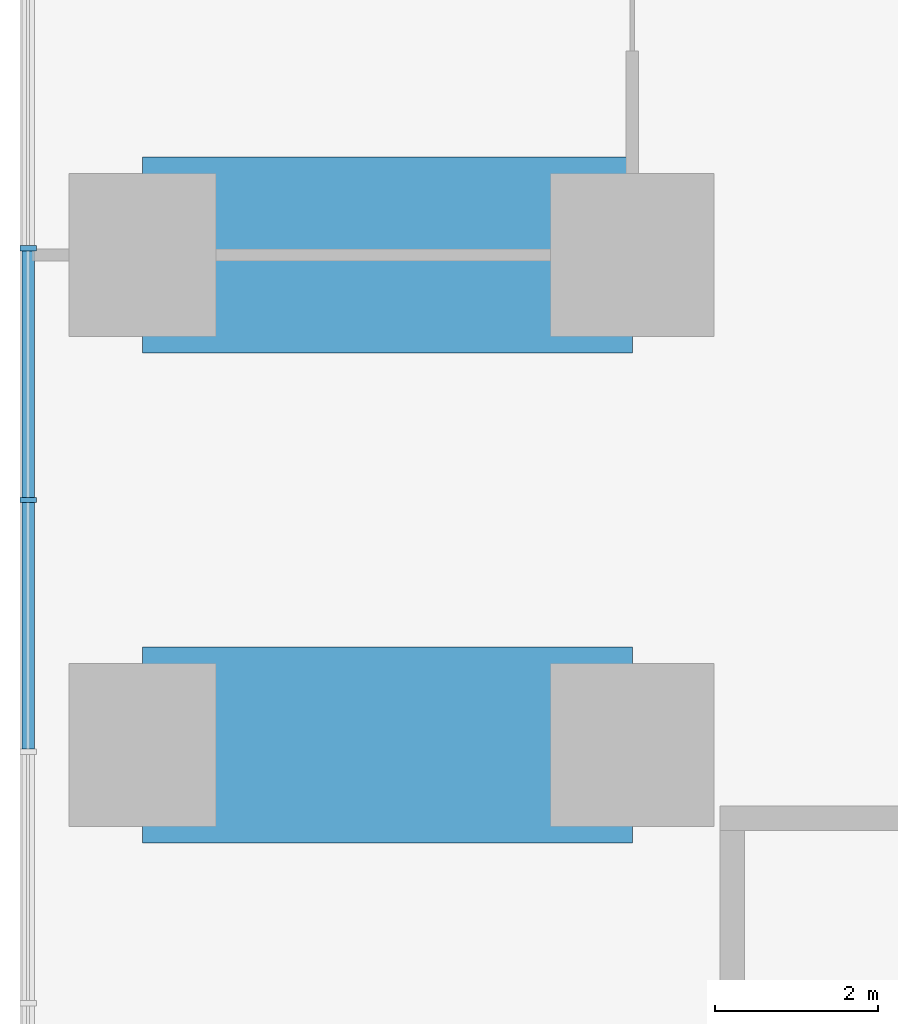
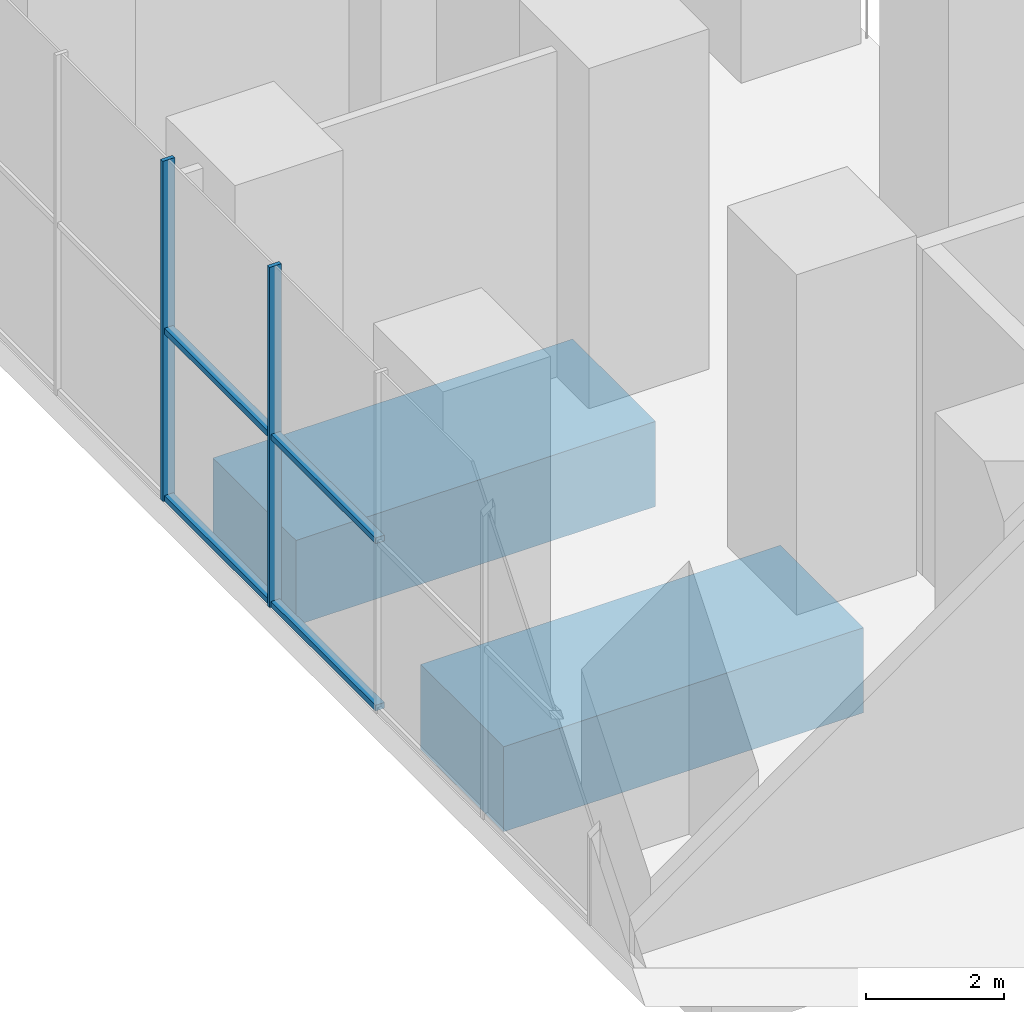
# One storey, part 3 of 21: 6 members, 2 beams, 1 element without a shape of its own.
"""IFC4 building model written with IfcOpenShell, lengths in metres."""

from ifc_helpers import new_model, si_unit, direction, frame, origin, origin_2d, place, context, subcontext, project, spatial, rectangle, extrude, material, layer, layer_set, material_profile, profile_set, type_object, element, aggregate, save


model = new_model("IFC4")

# Units and contexts
model_context = context("Model", 3, precision=1e-05, world=origin(), true_north=direction((0.0, 1.0)))
body_context = subcontext(model_context, "Body", "Model", "MODEL_VIEW")
ifc_project = project(units=[si_unit("LENGTHUNIT", "METRE"), si_unit("AREAUNIT", "SQUARE_METRE"), si_unit("VOLUMEUNIT", "CUBIC_METRE"), si_unit("PLANEANGLEUNIT", "RADIAN"), si_unit("MASSUNIT", "GRAM", prefix="KILO")], contexts=[model_context])

# Site, building, storey
site_placement = place(None, origin())
site = spatial("IfcSite", under=ifc_project, at=site_placement, CompositionType="ELEMENT")
building_placement = place(site_placement, origin())
building = spatial("IfcBuilding", under=site, at=building_placement, Name="Highveld Stack Headquarters", CompositionType="ELEMENT")
storey_placement = place(building_placement, origin())
storey = spatial("IfcBuildingStorey", under=building, at=storey_placement, Name="L00", CompositionType="ELEMENT", Elevation=0.0)

# Curtain wall, members
ifc_material_1 = material(Name="Aluminium bronze anodised", Category="aluminium")
ifc_layer = layer(ifc_material_1, 0.199951171875)
ifc_layer_set = layer_set([ifc_layer], Name="Aluminium bronze anodised")
curtain_wall_type = type_object("IfcCurtainWallType", Name="CW3 PODIUM STICK CURTAIN WALL", PredefinedType="NOTDEFINED", material=ifc_layer_set)
curtain_wall_placement = place(storey_placement, origin())
curtain_wall = element("IfcCurtainWall", 1, at=curtain_wall_placement, inside=storey, type_object=curtain_wall_type, Name="Curtain wall CW3 L00 W", PredefinedType="NOTDEFINED")
ifc_material_2 = material(Name="Aluminium bronze anodised", Category="aluminium")
ifc_material_profile_1 = material_profile(ifc_material_2, rectangle(XDim=0.199951171875, YDim=0.06494140625, at=origin_2d()), Name="CW3 MULLION 65x200")
ifc_profile_set_1 = profile_set([ifc_material_profile_1], Name="Aluminium bronze anodised")
member_type_1 = type_object("IfcMemberType", Name="CW3 MULLION 65x200", PredefinedType="MULLION", material=ifc_profile_set_1)
member_1_placement = place(storey_placement, frame((-31.39990234375, 6.082763671875, 0.0), z_axis=(0.0, 0.0, 1.0), x_axis=(1.0, 0.0, 0.0)))
member_1 = element("IfcMember", 2, at=member_1_placement, type_object=member_type_1, Name="CW3 mullion L00 7", PredefinedType="MULLION", context=body_context, shape_type="SweptSolid", body=[
    extrude(rectangle(XDim=0.199951171875, YDim=0.06494140625, at=origin_2d()), origin(), (0.0, 0.0, 1.0), 6.0),
])
member_2_placement = place(storey_placement, frame((-31.39990234375, 3.0, 0.0), z_axis=(0.0, 0.0, 1.0), x_axis=(1.0, 0.0, 0.0)))
member_2 = element("IfcMember", 3, at=member_2_placement, type_object=member_type_1, Name="CW3 mullion L00 8", PredefinedType="MULLION", context=body_context, shape_type="SweptSolid", body=[
    extrude(rectangle(XDim=0.199951171875, YDim=0.06494140625, at=origin_2d()), origin(), (0.0, 0.0, 1.0), 6.0),
])
ifc_material_3 = material(Name="Aluminium bronze anodised", Category="aluminium")
ifc_material_profile_2 = material_profile(ifc_material_3, rectangle(XDim=0.14990234375, YDim=0.10009765625, at=origin_2d()), Name="CW3 TRANSOM 150x100")
ifc_profile_set_2 = profile_set([ifc_material_profile_2], Name="Aluminium bronze anodised")
member_type_2 = type_object("IfcMemberType", Name="CW3 STACK TRANSOM 150x100", PredefinedType="USERDEFINED", material=ifc_profile_set_2)
member_3_placement = place(storey_placement, frame((-31.39990234375, 6.05029296875, 0.050048828125), z_axis=(0.0, -1.0, 0.0), x_axis=(1.0, 0.0, 0.0)))
member_3 = element("IfcMember", 4, at=member_3_placement, type_object=member_type_2, Name="CW3 transom L00 7.1", ObjectType="TRANSOM", PredefinedType="USERDEFINED", context=body_context, shape_type="SweptSolid", body=[
    extrude(rectangle(XDim=0.14990234375, YDim=0.10009765625, at=origin_2d()), origin(), (0.0, 0.0, 1.0), 3.017822265625),
])
member_4_placement = place(storey_placement, frame((-31.39990234375, 6.05029296875, 3.0), z_axis=(0.0, -1.0, 0.0), x_axis=(1.0, 0.0, 0.0)))
member_4 = element("IfcMember", 5, at=member_4_placement, type_object=member_type_2, Name="CW3 transom L00 7.2", ObjectType="TRANSOM", PredefinedType="USERDEFINED", context=body_context, shape_type="SweptSolid", body=[
    extrude(rectangle(XDim=0.14990234375, YDim=0.10009765625, at=origin_2d()), origin(), (0.0, 0.0, 1.0), 3.017822265625),
])
member_5_placement = place(storey_placement, frame((-31.39990234375, 2.967529296875, 0.050048828125), z_axis=(0.0, -1.0, 0.0), x_axis=(1.0, 0.0, 0.0)))
member_5 = element("IfcMember", 6, at=member_5_placement, type_object=member_type_2, Name="CW3 transom L00 8.1", ObjectType="TRANSOM", PredefinedType="USERDEFINED", context=body_context, shape_type="SweptSolid", body=[
    extrude(rectangle(XDim=0.14990234375, YDim=0.10009765625, at=origin_2d()), origin(), (0.0, 0.0, 1.0), 3.017822265625),
])
member_6_placement = place(storey_placement, frame((-31.39990234375, 2.967529296875, 3.0), z_axis=(0.0, -1.0, 0.0), x_axis=(1.0, 0.0, 0.0)))
member_6 = element("IfcMember", 7, at=member_6_placement, type_object=member_type_2, Name="CW3 transom L00 8.2", ObjectType="TRANSOM", PredefinedType="USERDEFINED", context=body_context, shape_type="SweptSolid", body=[
    extrude(rectangle(XDim=0.14990234375, YDim=0.10009765625, at=origin_2d()), origin(), (0.0, 0.0, 1.0), 3.017822265625),
])
aggregate(curtain_wall, [member_1, member_2, member_3, member_4, member_5, member_6])

# Beams
ifc_material_4 = material(Name="Concrete C60/75", Category="concrete")
ifc_material_profile_3 = material_profile(ifc_material_4, rectangle(XDim=2.39990234375, YDim=1.5, at=origin_2d()), Name="RC 2400x1500")
ifc_profile_set_3 = profile_set([ifc_material_profile_3], Name="Concrete C60/75")
beam_type = type_object("IfcBeamType", Name="TRANSFER GIRDER RC 2400x1500 C60/75", PredefinedType="USERDEFINED", material=ifc_profile_set_3)
for number, where, z_axis, x_axis, name in (
    (8, (-24.0, 0.0, -1.199951171875), (-1.0, 0.0, 0.0), (0.0, -1.0, 0.0), "Transfer girder 2/E"),
    (9, (-24.0, 6.0, -1.199951171875), (-1.0, 0.0, 0.0), (0.0, -1.0, 0.0), "Transfer girder 2/F"),
):
    element("IfcBeam", number, at=place(storey_placement, frame(where, z_axis=z_axis, x_axis=x_axis)), inside=storey, type_object=beam_type, Name=name, ObjectType="TRANSFER GIRDER", PredefinedType="USERDEFINED", context=body_context, shape_type="SweptSolid", body=[
        extrude(rectangle(XDim=2.39990234375, YDim=1.5, at=origin_2d()), origin(), (0.0, 0.0, 1.0), 6.0),
    ])

save(model, "model.ifc")
